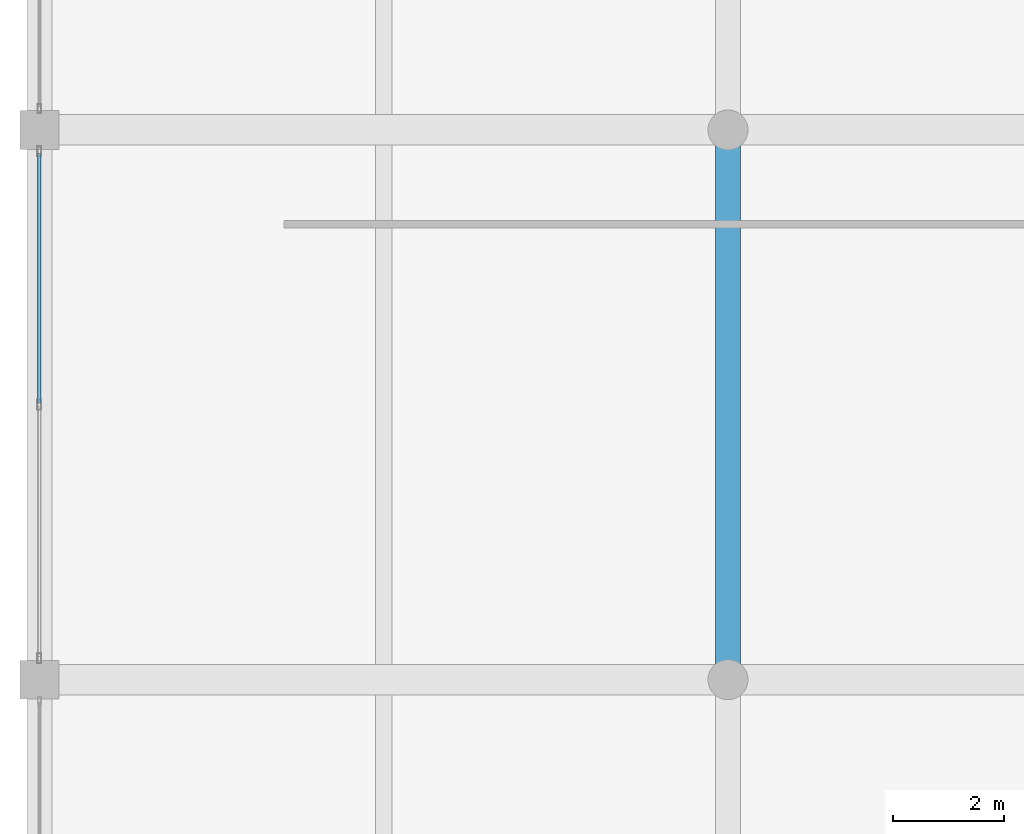
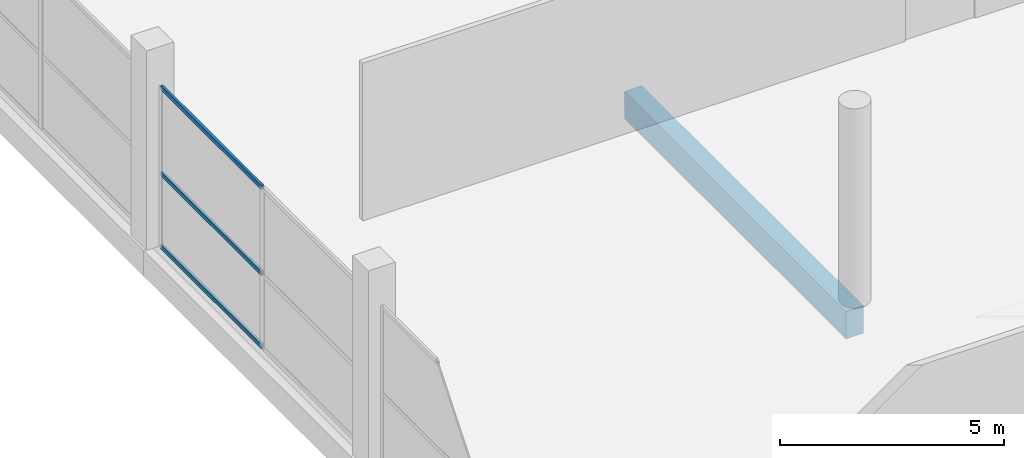
# One storey, part 26 of 74: 3 members, 1 beam, 1 element without a shape of its own.
"""IFC4 building model written with IfcOpenShell, lengths in metres."""

import ifcopenshell
import ifcopenshell.guid

model = None  # the IFC model being written
_history = None  # IfcOwnerHistory: only IFC2X3 demands one
_inside = {}  # id of a spatial element -> (the spatial element, [elements in it])
_under = {}  # id of a project, library or spatial element -> (it, [spatial elements below it])
_declared = {}  # id of a project -> (the project, [libraries it declares])
_typed = {}  # id of a type object -> (the type object, [elements of that type])
_made_of = {}  # id of a material, layer set ... -> (it, [elements and type objects made of it])


def new_model(schema):
    """Start an empty IFC model of exactly this schema.

    Asked for "IFC4X3", IfcOpenShell would pick the latest addendum, in which some entities
    have other attributes; the version numbers below select the first issue.
    IFC2X3 requires an IfcOwnerHistory on every rooted entity: one is made here for all.
    """
    global model, _history
    if schema == "IFC4X3":
        model = ifcopenshell.file(schema_version=(4, 3, 0, 0))
    else:
        model = ifcopenshell.file(schema=schema)
    _inside.clear()
    _under.clear()
    _declared.clear()
    _typed.clear()
    _made_of.clear()
    _history = None
    if model.schema == "IFC2X3":
        org = make("IfcOrganization", Name="unknown")
        user = make(
            "IfcPersonAndOrganization",
            ThePerson=make("IfcPerson", FamilyName="unknown"),
            TheOrganization=org,
        )
        app = make(
            "IfcApplication",
            ApplicationDeveloper=org,
            Version="unknown",
            ApplicationFullName="unknown",
            ApplicationIdentifier="unknown",
        )
        _history = make(
            "IfcOwnerHistory",
            OwningUser=user,
            OwningApplication=app,
            ChangeAction="ADDED",
            CreationDate=0,
        )
    return model


def make(cls, **values):
    """One entity of the class cls with the attributes given. An attribute that is None is left unset."""
    return model.create_entity(
        cls, **{name: value for name, value in values.items() if value is not None}
    )


def rooted(cls, **values):
    """An entity with a GlobalId (a new one), such as an element, a storey or a relation."""
    return make(cls, GlobalId=ifcopenshell.guid.new(), OwnerHistory=_history, **values)


def si_unit(unit_type, name, prefix=None):
    """IfcSIUnit, for example si_unit("LENGTHUNIT", "METRE", prefix="MILLI")."""
    return make("IfcSIUnit", UnitType=unit_type, Prefix=prefix, Name=name)


def assignment(units):
    """IfcUnitAssignment: the units of a project."""
    return None if units is None else make("IfcUnitAssignment", Units=units)


def point(xyz):
    """IfcCartesianPoint."""
    return None if xyz is None else make("IfcCartesianPoint", Coordinates=xyz)


def direction(xyz):
    """IfcDirection."""
    return None if xyz is None else make("IfcDirection", DirectionRatios=xyz)


def frame(location, z_axis=None, x_axis=None):
    """IfcAxis2Placement3D, a coordinate frame: its origin and axes. An axis left out is left unset."""
    return make(
        "IfcAxis2Placement3D",
        Location=point(location),
        Axis=direction(z_axis),
        RefDirection=direction(x_axis),
    )


def frame_2d(location, x_axis=None):
    """IfcAxis2Placement2D, a coordinate frame in the plane: its origin and x axis."""
    return make(
        "IfcAxis2Placement2D", Location=point(location), RefDirection=direction(x_axis)
    )


def origin():
    """The frame at (0, 0, 0) with its axes left unset."""
    return frame((0.0, 0.0, 0.0))


def origin_2d():
    """The frame at (0, 0) in the plane with its x axis left unset."""
    return frame_2d((0.0, 0.0))


def place(relative_to, where):
    """IfcLocalPlacement: puts the frame where relative to a parent placement (None: the world)."""
    return make(
        "IfcLocalPlacement", PlacementRelTo=relative_to, RelativePlacement=where
    )


def context(
    kind, dimensions, precision=None, world=None, true_north=None, identifier=None
):
    """IfcGeometricRepresentationContext, for example the 3D "Model" context."""
    return make(
        "IfcGeometricRepresentationContext",
        ContextIdentifier=identifier,
        ContextType=kind,
        CoordinateSpaceDimension=dimensions,
        Precision=precision,
        WorldCoordinateSystem=world,
        TrueNorth=true_north,
    )


def subcontext(parent, identifier, kind, view, scale=None):
    """IfcGeometricRepresentationSubContext, for example "Body" below "Model"."""
    return make(
        "IfcGeometricRepresentationSubContext",
        ContextIdentifier=identifier,
        ContextType=kind,
        ParentContext=parent,
        TargetScale=scale,
        TargetView=view,
    )


def project(units=None, contexts=None):
    """IfcProject with its units and contexts."""
    return rooted(
        "IfcProject",
        Name="project",
        RepresentationContexts=contexts,
        UnitsInContext=assignment(units),
    )


def spatial(cls, under=None, at=None, **own):
    """A site, building, storey or space (cls), placed at a placement, below another one or the project."""
    s = rooted(cls, ObjectPlacement=at, **own)
    if under is not None:
        _under.setdefault(under.id(), (under, []))[1].append(s)
    return s


def profile(cls, at=None, kind="AREA", **sizes):
    """A parametric profile (cls). Its sizes go by their IFC names, for example OverallWidth=200.0."""
    return make(cls, ProfileType=kind, Position=at, **sizes)


def rectangle(**sizes):
    """IfcRectangleProfileDef."""
    return profile("IfcRectangleProfileDef", **sizes)


def hollow_rectangle(**sizes):
    """IfcRectangleHollowProfileDef."""
    return profile("IfcRectangleHollowProfileDef", **sizes)


def extrude(swept, where, along, depth):
    """IfcExtrudedAreaSolid: the profile swept, set in the frame where, extruded along a direction by depth."""
    return make(
        "IfcExtrudedAreaSolid",
        SweptArea=swept,
        Position=where,
        ExtrudedDirection=direction(along),
        Depth=depth,
    )


def shape(context_of_items, identifier, shape_type, items):
    """IfcShapeRepresentation: the items that make up one representation, for example the "Body"."""
    return make(
        "IfcShapeRepresentation",
        ContextOfItems=context_of_items,
        RepresentationIdentifier=identifier,
        RepresentationType=shape_type,
        Items=items,
    )


def material(Name=None, Category=None):
    """IfcMaterial."""
    return make("IfcMaterial", Name=Name, Category=Category)


def layer(
    of_material, thickness, ventilated=None, Name=None, Category=None, Priority=None
):
    """IfcMaterialLayer: one layer of a wall or slab, of a material (None: an air gap)."""
    return make(
        "IfcMaterialLayer",
        Material=of_material,
        LayerThickness=thickness,
        IsVentilated=ventilated,
        Name=Name,
        Category=Category,
        Priority=Priority,
    )


def layer_set(layers, Name=None):
    """IfcMaterialLayerSet."""
    return make("IfcMaterialLayerSet", MaterialLayers=layers, LayerSetName=Name)


def material_profile(
    of_material, cross_section, Name=None, Category=None, Priority=None
):
    """IfcMaterialProfile: a cross section and its material."""
    return make(
        "IfcMaterialProfile",
        Name=Name,
        Material=of_material,
        Profile=cross_section,
        Priority=Priority,
        Category=Category,
    )


def profile_set(profiles, Name=None, composite=None):
    """IfcMaterialProfileSet."""
    return make(
        "IfcMaterialProfileSet",
        Name=Name,
        MaterialProfiles=profiles,
        CompositeProfile=composite,
    )


def made_of(thing, what):
    """Note that an element or type object is made of a material, layer set ...; save() writes the relation."""
    if what is not None:
        _made_of.setdefault(what.id(), (what, []))[1].append(thing)
    return thing


def type_object(cls, material=None, **own):
    """A type object (cls), such as IfcWallType, which elements share."""
    return made_of(rooted(cls, **own), material)


def element(
    cls,
    number,
    at=None,
    inside=None,
    cuts=None,
    type_object=None,
    material=None,
    context=None,
    identifier="Body",
    shape_type=None,
    held_by="IfcProductDefinitionShape",
    body=None,
    shapes=None,
    **own,
):
    """One element of the class cls, such as IfcWall. Its Tag is "e" and its number.

    at: its placement. inside: the storey or other place that contains it. cuts: it is an
    opening in that element (IfcRelVoidsElement). A single representation is given by context,
    identifier, shape_type and body (its items); several are given by shapes. held_by: the class
    of the entity that holds the representations. save() writes the other relations.
    """
    e = rooted(cls, Tag="e%d" % number, ObjectPlacement=at, **own)
    if body is not None:
        shapes = [shape(context, identifier, shape_type, body)]
    if shapes is not None:
        e.Representation = make(held_by, Representations=shapes)
    if inside is not None:
        _inside.setdefault(inside.id(), (inside, []))[1].append(e)
    if cuts is not None:
        rooted(
            "IfcRelVoidsElement", RelatingBuildingElement=cuts, RelatedOpeningElement=e
        )
    if type_object is not None:
        _typed.setdefault(type_object.id(), (type_object, []))[1].append(e)
    return made_of(e, material)


def aggregate(whole, parts):
    """IfcRelAggregates: a whole, such as a stair, and the parts it consists of."""
    return rooted("IfcRelAggregates", RelatingObject=whole, RelatedObjects=parts)


def save(model, path):
    """Write the relations noted so far, then the file.

    IfcRelAggregates (storeys below a building ...), IfcRelContainedInSpatialStructure (elements
    in a storey), IfcRelDefinesByType, IfcRelAssociatesMaterial and IfcRelDeclares: one each for
    every whole, place, type object, material and project.
    """
    for whole, parts in _under.values():
        aggregate(whole, parts)
    for where, things in _inside.values():
        rooted(
            "IfcRelContainedInSpatialStructure",
            RelatedElements=things,
            RelatingStructure=where,
        )
    for kind, things in _typed.values():
        rooted("IfcRelDefinesByType", RelatedObjects=things, RelatingType=kind)
    for what, things in _made_of.values():
        rooted("IfcRelAssociatesMaterial", RelatedObjects=things, RelatingMaterial=what)
    for by, libraries in _declared.values():
        rooted("IfcRelDeclares", RelatingContext=by, RelatedDefinitions=libraries)
    model.write(path)


model = new_model("IFC4")

# Units and contexts
model_context = context("Model", 3, precision=1e-05, world=origin(), true_north=direction((0.0, 1.0)))
body_context = subcontext(model_context, "Body", "Model", "MODEL_VIEW")
ifc_project = project(units=[si_unit("LENGTHUNIT", "METRE"), si_unit("AREAUNIT", "SQUARE_METRE"), si_unit("VOLUMEUNIT", "CUBIC_METRE"), si_unit("PLANEANGLEUNIT", "RADIAN"), si_unit("MASSUNIT", "GRAM", prefix="KILO")], contexts=[model_context])

# Site, building, storey
site_placement = place(None, origin())
site = spatial("IfcSite", under=ifc_project, at=site_placement, CompositionType="ELEMENT")
building_placement = place(site_placement, origin())
building = spatial("IfcBuilding", under=site, at=building_placement, Name="Sillaruma Civic Art Gallery", CompositionType="ELEMENT")
storey_placement = place(building_placement, frame((0.0, 0.0, 5.43994140625)))
storey = spatial("IfcBuildingStorey", under=building, at=storey_placement, Name="L01", CompositionType="ELEMENT", Elevation=5.43994140625)

# Beam
ifc_material_1 = material(Name="Concrete H40 (40 MPa)", Category="concrete")
ifc_material_profile_1 = material_profile(ifc_material_1, rectangle(XDim=0.449951171875, YDim=0.75, at=origin_2d()), Name="RCB450x750")
ifc_profile_set_1 = profile_set([ifc_material_profile_1], Name="Concrete H40 (40 MPa)")
beam_type = type_object("IfcBeamType", Name="BM-BEAM-RCB450x750", PredefinedType="BEAM", material=ifc_profile_set_1)
beam_placement = place(storey_placement, frame((12.39990234375, 99.0, -0.635009765625), z_axis=(0.0, 1.0, 0.0), x_axis=(-1.0, 0.0, 0.0)))
element("IfcBeam", 1, at=beam_placement, inside=storey, type_object=beam_type, Name="Beam BM-03 (L00:B:11-12)", PredefinedType="BEAM", context=body_context, shape_type="SweptSolid", body=[
    extrude(rectangle(XDim=0.449951171875, YDim=0.75, at=origin_2d()), origin(), (0.0, 0.0, 1.0), 9.89990234375),
])

# Curtain wall, members
ifc_material_2 = material(Name="Thermally Broken Extruded Aluminium 6063-T6", Category="aluminium")
ifc_layer = layer(ifc_material_2, 0.179931640625, Name="Thermally Broken Extruded Aluminium 6063-T6")
ifc_layer_set = layer_set([ifc_layer], Name="Thermally Broken Extruded Aluminium 6063-T6")
curtain_wall_type = type_object("IfcCurtainWallType", Name="CW-UNI-09", PredefinedType="NOTDEFINED", material=ifc_layer_set)
curtain_wall_placement = place(storey_placement, origin())
curtain_wall = element("IfcCurtainWall", 2, at=curtain_wall_placement, inside=storey, type_object=curtain_wall_type, Name="Unitised Curtain Wall CW-09 (CW-L01-WSTR-3)", PredefinedType="NOTDEFINED")
ifc_material_profile_2 = material_profile(ifc_material_2, hollow_rectangle(XDim=0.06494140625, YDim=0.1201171875, WallThickness=0.00341796875, at=origin_2d()), Name="CWT65x120")
ifc_profile_set_2 = profile_set([ifc_material_profile_2], Name="Thermally Broken Extruded Aluminium 6063-T6")
member_type = type_object("IfcMemberType", Name="MEM-TRN-CWT65x120", PredefinedType="USERDEFINED", material=ifc_profile_set_2)
member_1_placement = place(storey_placement, frame((0.0, 103.985107421875, 0.032470703125), z_axis=(0.0, 1.0, 0.0), x_axis=(-1.0, 0.0, 0.0)))
member_1 = element("IfcMember", 3, at=member_1_placement, type_object=member_type, Name="CW-09 transom 2.1", ObjectType="TRANSOM", PredefinedType="USERDEFINED", context=body_context, shape_type="SweptSolid", body=[
    extrude(hollow_rectangle(XDim=0.06494140625, YDim=0.1201171875, WallThickness=0.00341796875, at=origin_2d()), origin(), (0.0, 0.0, 1.0), 4.494873046875),
])
member_2_placement = place(storey_placement, frame((0.0, 103.985107421875, 2.024169921875), z_axis=(0.0, 1.0, 0.0), x_axis=(-1.0, 0.0, 0.0)))
member_2 = element("IfcMember", 4, at=member_2_placement, type_object=member_type, Name="CW-09 transom 2.2", ObjectType="TRANSOM", PredefinedType="USERDEFINED", context=body_context, shape_type="SweptSolid", body=[
    extrude(hollow_rectangle(XDim=0.06494140625, YDim=0.1201171875, WallThickness=0.00341796875, at=origin_2d()), origin(), (0.0, 0.0, 1.0), 4.494873046875),
])
member_3_placement = place(storey_placement, frame((0.0, 103.985107421875, 4.36767578125), z_axis=(0.0, 1.0, 0.0), x_axis=(-1.0, 0.0, 0.0)))
member_3 = element("IfcMember", 5, at=member_3_placement, type_object=member_type, Name="CW-09 transom 2.3", ObjectType="TRANSOM", PredefinedType="USERDEFINED", context=body_context, shape_type="SweptSolid", body=[
    extrude(hollow_rectangle(XDim=0.06494140625, YDim=0.1201171875, WallThickness=0.00341796875, at=origin_2d()), origin(), (0.0, 0.0, 1.0), 4.494873046875),
])
aggregate(curtain_wall, [member_1, member_2, member_3])

save(model, "model.ifc")
